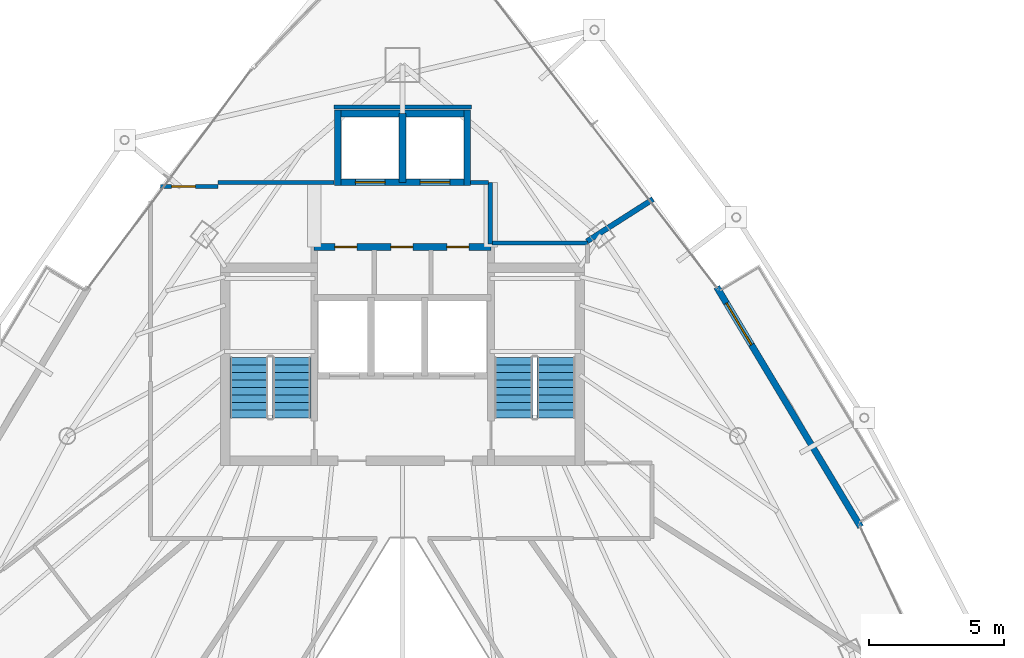
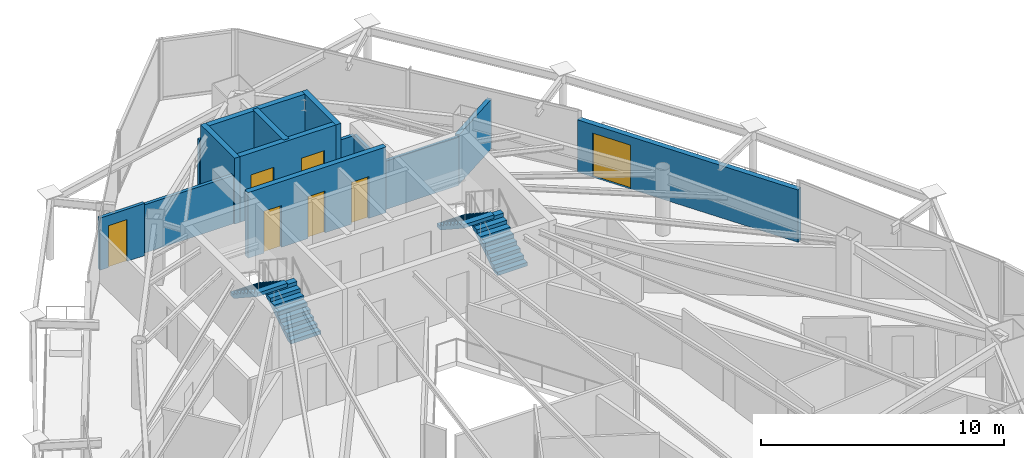
# One storey, part 30 of 33: 14 walls, 7 doors, 4 stair flights, 7 openings, 2 elements without a shape of their own.
"""IFC4 building model written with IfcOpenShell, lengths in metres."""

from ifc_helpers import new_model, si_unit, direction, frame, frame_2d, origin, place, context, subcontext, project, spatial, polyline, rectangle, outline, extrude, material, layer, layer_set, type_object, element, fill, aggregate, save


model = new_model("IFC4")

# Units and contexts
model_context = context("Model", 3, precision=1e-05, world=origin(), true_north=direction((0.0, 1.0)))
body_context = subcontext(model_context, "Body", "Model", "MODEL_VIEW")
ifc_project = project(units=[si_unit("LENGTHUNIT", "METRE"), si_unit("AREAUNIT", "SQUARE_METRE"), si_unit("VOLUMEUNIT", "CUBIC_METRE"), si_unit("PLANEANGLEUNIT", "RADIAN"), si_unit("MASSUNIT", "GRAM", prefix="KILO")], contexts=[model_context])

# Site, building, storey
site_placement = place(None, origin())
site = spatial("IfcSite", under=ifc_project, at=site_placement, CompositionType="ELEMENT")
building_placement = place(site_placement, origin())
building = spatial("IfcBuilding", under=site, at=building_placement, Name="Orvanel Arch Residences", CompositionType="ELEMENT")
storey_placement = place(building_placement, frame((0.0, 0.0, 212.89990234375)))
storey = spatial("IfcBuildingStorey", under=building, at=storey_placement, Name="L60", CompositionType="ELEMENT", Elevation=212.89990234375)

# Wall, opening, door
ifc_material_1 = material(Name="Precast concrete N50 (50 MPa)", Category="concrete")
ifc_layer_1 = layer(ifc_material_1, 0.239990234375)
ifc_layer_set_1 = layer_set([ifc_layer_1], Name="Precast concrete N50 (50 MPa)")
wall_type_1 = type_object("IfcWallType", Name="EW-BAL-240", PredefinedType="SOLIDWALL", material=ifc_layer_set_1)
wall_1_placement = place(storey_placement, frame((49.98193359375, 24.27490234375, 0.0), z_axis=(0.0, 0.0, 1.0), x_axis=(-0.514391899557, 0.857555230682, 0.0)))
wall_1 = element("IfcWall", 1, at=wall_1_placement, inside=storey, type_object=wall_type_1, Name="L60 Balcony Threshold Wall Face 3", PredefinedType="SOLIDWALL", context=body_context, shape_type="SweptSolid", body=[
    extrude(rectangle(XDim=10.371337890625, YDim=0.239990234375, at=frame_2d((5.185546875, 0.0))), origin(), (0.0, 0.0, 1.0), 2.6240234375),
])
opening_1_placement = place(wall_1_placement, frame((7.8740234375, 0.0, 0.0)))
opening_1 = element("IfcOpeningElement", 2, at=opening_1_placement, cuts=wall_1, Name="Opening DB-180", PredefinedType="OPENING", context=body_context, shape_type="SweptSolid", body=[
    extrude(rectangle(XDim=1.800048828125, YDim=2.199951171875, at=frame_2d((0.89990234375, 1.10009765625))), frame((0.0, 0.1298828125, 0.0), z_axis=(0.0, -1.0, 0.0), x_axis=(1.0, 0.0, 0.0)), (0.0, 0.0, 1.0), 0.260009765625),
])
ifc_material_2 = material(Name="Bronze-anodised aluminium AA6063-T6", Category="aluminium")
door_type_1 = type_object("IfcDoorType", Name="DR-BAL-1800", OperationType="NOTDEFINED", PredefinedType="DOOR", material=ifc_material_2)
door_1_placement = place(opening_1_placement, origin())
door_1 = element("IfcDoor", 3, at=door_1_placement, inside=storey, type_object=door_type_1, Name="DR-L60-BAL-F3 L60 Planted Balcony Access Door Face 3", OperationType="SINGLE_SWING_LEFT", OverallHeight=2.199951171875, OverallWidth=1.800048828125, PredefinedType="DOOR", context=body_context, shape_type="SweptSolid", body=[
    extrude(rectangle(XDim=1.800048828125, YDim=2.199951171875, at=frame_2d((0.89990234375, 1.10009765625))), frame((0.0, 0.02490234375, 0.0), z_axis=(0.0, -1.0, 0.0), x_axis=(1.0, 0.0, 0.0)), (0.0, 0.0, 1.0), 0.050048828125),
])
fill(opening_1, door_1)

# Wall, openings, doors
ifc_material_3 = material(Name="Concrete N50 (50 MPa)", Category="concrete")
ifc_layer_2 = layer(ifc_material_3, 0.25)
ifc_layer_set_2 = layer_set([ifc_layer_2], Name="Concrete N50 (50 MPa)")
wall_type_2 = type_object("IfcWallType", Name="SW-CORE-250", PredefinedType="SHEAR", material=ifc_layer_set_2)
wall_2_placement = place(storey_placement, frame((29.72509765625, 34.64990234375, 0.0), z_axis=(0.0, 0.0, 1.0), x_axis=(1.0, 0.0, 0.0)))
wall_2 = element("IfcWall", 4, at=wall_2_placement, inside=storey, type_object=wall_type_2, Name="L60 Core Service Band North Shear Wall", PredefinedType="SHEAR", context=body_context, shape_type="SweptSolid", body=[
    extrude(rectangle(XDim=6.5498046875, YDim=0.25, at=frame_2d((3.27490234375, 0.0))), origin(), (0.0, 0.0, 1.0), 3.300048828125),
])
opening_2_placement = place(wall_2_placement, frame((0.764892578125, 0.0, 0.0)))
opening_2 = element("IfcOpeningElement", 5, at=opening_2_placement, cuts=wall_2, Name="Opening DS-082", PredefinedType="OPENING", context=body_context, shape_type="SweptSolid", body=[
    extrude(rectangle(XDim=0.820068359375, YDim=2.10009765625, at=frame_2d((0.41015625, 1.050048828125))), frame((0.0, 0.135009765625, 0.0), z_axis=(0.0, -1.0, 0.0), x_axis=(1.0, 0.0, 0.0)), (0.0, 0.0, 1.0), 0.27001953125),
])
opening_3_placement = place(wall_2_placement, frame((2.840087890625, 0.0, 0.0)))
opening_3 = element("IfcOpeningElement", 6, at=opening_3_placement, cuts=wall_2, Name="Opening DS-082", PredefinedType="OPENING", context=body_context, shape_type="SweptSolid", body=[
    extrude(rectangle(XDim=0.820068359375, YDim=2.10009765625, at=frame_2d((0.41015625, 1.050048828125))), frame((0.0, 0.135009765625, 0.0), z_axis=(0.0, -1.0, 0.0), x_axis=(1.0, 0.0, 0.0)), (0.0, 0.0, 1.0), 0.27001953125),
])
opening_4_placement = place(wall_2_placement, frame((4.9150390625, 0.0, 0.0)))
opening_4 = element("IfcOpeningElement", 7, at=opening_4_placement, cuts=wall_2, Name="Opening DS-082", PredefinedType="OPENING", context=body_context, shape_type="SweptSolid", body=[
    extrude(rectangle(XDim=0.820068359375, YDim=2.10009765625, at=frame_2d((0.41015625, 1.050048828125))), frame((0.0, 0.135009765625, 0.0), z_axis=(0.0, -1.0, 0.0), x_axis=(1.0, 0.0, 0.0)), (0.0, 0.0, 1.0), 0.27001953125),
])
ifc_material_4 = material(Name="Galvanised steel fire-resisting door assembly", Category="steel")
door_type_2 = type_object("IfcDoorType", Name="DR-SVC-820", OperationType="NOTDEFINED", PredefinedType="DOOR", material=ifc_material_4)
door_2_placement = place(opening_2_placement, origin())
door_2 = element("IfcDoor", 8, at=door_2_placement, inside=storey, type_object=door_type_2, Name="DR-L60-CSVC-1 L60 Housekeeping Store Door", OperationType="SINGLE_SWING_LEFT", OverallHeight=2.10009765625, OverallWidth=0.820068359375, PredefinedType="DOOR", context=body_context, shape_type="SweptSolid", body=[
    extrude(rectangle(XDim=0.820068359375, YDim=2.10009765625, at=frame_2d((0.41015625, 1.050048828125))), frame((0.0, 0.02490234375, 0.0), z_axis=(0.0, -1.0, 0.0), x_axis=(1.0, 0.0, 0.0)), (0.0, 0.0, 1.0), 0.050048828125),
])
fill(opening_2, door_2)
door_3_placement = place(opening_3_placement, origin())
door_3 = element("IfcDoor", 9, at=door_3_placement, inside=storey, type_object=door_type_2, Name="DR-L60-CSVC-2 L60 Cleaner's Store Door", OperationType="SINGLE_SWING_LEFT", OverallHeight=2.10009765625, OverallWidth=0.820068359375, PredefinedType="DOOR", context=body_context, shape_type="SweptSolid", body=[
    extrude(rectangle(XDim=0.820068359375, YDim=2.10009765625, at=frame_2d((0.41015625, 1.050048828125))), frame((0.0, 0.02490234375, 0.0), z_axis=(0.0, -1.0, 0.0), x_axis=(1.0, 0.0, 0.0)), (0.0, 0.0, 1.0), 0.050048828125),
])
fill(opening_3, door_3)
door_4_placement = place(opening_4_placement, origin())
door_4 = element("IfcDoor", 10, at=door_4_placement, inside=storey, type_object=door_type_2, Name="DR-L60-CSVC-3 L60 Comms Riser Store Door", OperationType="SINGLE_SWING_LEFT", OverallHeight=2.10009765625, OverallWidth=0.820068359375, PredefinedType="DOOR", context=body_context, shape_type="SweptSolid", body=[
    extrude(rectangle(XDim=0.820068359375, YDim=2.10009765625, at=frame_2d((0.41015625, 1.050048828125))), frame((0.0, 0.02490234375, 0.0), z_axis=(0.0, -1.0, 0.0), x_axis=(1.0, 0.0, 0.0)), (0.0, 0.0, 1.0), 0.050048828125),
])
fill(opening_4, door_4)

wall_3_placement = place(storey_placement, frame((35.52490234375, 37.050048828125, 0.0), z_axis=(0.0, 0.0, 1.0), x_axis=(-1.0, 0.0, 0.0)))
wall_3 = element("IfcWall", 11, at=wall_3_placement, inside=storey, type_object=wall_type_2, Name="L60 Passenger Lift Bank Front Shear Wall", PredefinedType="SHEAR", context=body_context, shape_type="SweptSolid", body=[
    extrude(rectangle(XDim=5.0498046875, YDim=0.25, at=frame_2d((2.52490234375, 0.0))), origin(), (0.0, 0.0, 1.0), 3.300048828125),
])
opening_5_placement = place(wall_3_placement, frame((3.175048828125, 0.0, 0.0)))
opening_5 = element("IfcOpeningElement", 12, at=opening_5_placement, cuts=wall_3, Name="Opening LD-110", PredefinedType="OPENING", context=body_context, shape_type="SweptSolid", body=[
    extrude(rectangle(XDim=1.10009765625, YDim=2.199951171875, at=frame_2d((0.550048828125, 1.10009765625))), frame((0.0, 0.135009765625, 0.0), z_axis=(0.0, -1.0, 0.0), x_axis=(1.0, 0.0, 0.0)), (0.0, 0.0, 1.0), 0.27001953125),
])
opening_6_placement = place(wall_3_placement, frame((0.77490234375, 0.0, 0.0)))
opening_6 = element("IfcOpeningElement", 13, at=opening_6_placement, cuts=wall_3, Name="Opening LD-110", PredefinedType="OPENING", context=body_context, shape_type="SweptSolid", body=[
    extrude(rectangle(XDim=1.10009765625, YDim=2.199951171875, at=frame_2d((0.550048828125, 1.10009765625))), frame((0.0, 0.135009765625, 0.0), z_axis=(0.0, -1.0, 0.0), x_axis=(1.0, 0.0, 0.0)), (0.0, 0.0, 1.0), 0.27001953125),
])
door_type_3 = type_object("IfcDoorType", Name="DR-LFT-1100", OperationType="NOTDEFINED", PredefinedType="DOOR", material=ifc_material_4)
door_5_placement = place(opening_5_placement, origin())
door_5 = element("IfcDoor", 14, at=door_5_placement, inside=storey, type_object=door_type_3, Name="LD-P5-L60 L60 Passenger Lift P5 Sliding Landing Door", OperationType="DOUBLE_DOOR_SLIDING", OverallHeight=2.199951171875, OverallWidth=1.10009765625, PredefinedType="DOOR", context=body_context, shape_type="SweptSolid", body=[
    extrude(rectangle(XDim=1.10009765625, YDim=2.199951171875, at=frame_2d((0.550048828125, 1.10009765625))), frame((0.0, 0.02490234375, 0.0), z_axis=(0.0, -1.0, 0.0), x_axis=(1.0, 0.0, 0.0)), (0.0, 0.0, 1.0), 0.050048828125),
])
fill(opening_5, door_5)
door_6_placement = place(opening_6_placement, origin())
door_6 = element("IfcDoor", 15, at=door_6_placement, inside=storey, type_object=door_type_3, Name="LD-P6-L60 L60 Passenger Lift P6 Sliding Landing Door", OperationType="DOUBLE_DOOR_SLIDING", OverallHeight=2.199951171875, OverallWidth=1.10009765625, PredefinedType="DOOR", context=body_context, shape_type="SweptSolid", body=[
    extrude(rectangle(XDim=1.10009765625, YDim=2.199951171875, at=frame_2d((0.550048828125, 1.10009765625))), frame((0.0, 0.02490234375, 0.0), z_axis=(0.0, -1.0, 0.0), x_axis=(1.0, 0.0, 0.0)), (0.0, 0.0, 1.0), 0.050048828125),
])
fill(opening_6, door_6)

# Walls
wall_4_placement = place(storey_placement, frame((30.47509765625, 39.60009765625, 0.0), z_axis=(0.0, 0.0, 1.0), x_axis=(1.0, 0.0, 0.0)))
element("IfcWall", 16, at=wall_4_placement, inside=storey, type_object=wall_type_2, Name="L60 Passenger Lift Bank North Shear Wall", PredefinedType="SHEAR", context=body_context, shape_type="SweptSolid", body=[
    extrude(rectangle(XDim=5.0498046875, YDim=0.25, at=frame_2d((2.52490234375, 0.0))), origin(), (0.0, 0.0, 1.0), 3.300048828125),
])
for number, where, z_axis, x_axis, name in (
    (17, (30.60009765625, 36.925048828125, 0.0), (0.0, 0.0, 1.0), (0.0, 1.0, 0.0), "L60 Passenger Lift Bank West Shear Wall"),
    (18, (35.39990234375, 36.925048828125, 0.0), (0.0, 0.0, 1.0), (0.0, 1.0, 0.0), "L60 Passenger Lift Bank East Shear Wall"),
):
    element("IfcWall", number, at=place(storey_placement, frame(where, z_axis=z_axis, x_axis=x_axis)), inside=storey, type_object=wall_type_2, Name=name, PredefinedType="SHEAR", context=body_context, shape_type="SweptSolid", body=[
        extrude(rectangle(XDim=2.800048828125, YDim=0.25, at=frame_2d((1.39990234375, 0.0))), origin(), (0.0, 0.0, 1.0), 3.300048828125),
    ])
wall_5_placement = place(storey_placement, frame((33.0, 37.050048828125, 0.0), z_axis=(0.0, 0.0, 1.0), x_axis=(0.0, 1.0, 0.0)))
element("IfcWall", 19, at=wall_5_placement, inside=storey, type_object=wall_type_2, Name="L60 Passenger Lift Inter-Shaft Wall P56", PredefinedType="SHEAR", context=body_context, shape_type="SweptSolid", body=[
    extrude(rectangle(XDim=2.550048828125, YDim=0.25, at=frame_2d((1.27490234375, 0.0))), origin(), (0.0, 0.0, 1.0), 3.300048828125),
])
ifc_material_5 = material(Name="Fire-rated plasterboard lined steel stud partition", Category="steel")
ifc_layer_3 = layer(ifc_material_5, 0.14990234375)
ifc_layer_set_3 = layer_set([ifc_layer_3], Name="Fire-rated plasterboard lined steel stud partition")
wall_type_3 = type_object("IfcWallType", Name="W-COR-150", PredefinedType="PARTITIONING", material=ifc_layer_set_3)
wall_6_placement = place(storey_placement, frame((36.25, 34.760009765625, 0.0), z_axis=(0.0, 0.0, 1.0), x_axis=(0.0, 1.0, 0.0)))
element("IfcWall", 20, at=wall_6_placement, inside=storey, type_object=wall_type_3, Name="L60 Passenger Lift Lobby East Closure Wall", PredefinedType="PARTITIONING", context=body_context, shape_type="SweptSolid", body=[
    extrude(rectangle(XDim=2.2900390625, YDim=0.14990234375, at=frame_2d((1.14501953125, 0.0))), origin(), (0.0, 0.0, 1.0), 2.425048828125),
])
wall_7_placement = place(storey_placement, frame((35.52490234375, 37.050048828125, 0.0), z_axis=(0.0, 0.0, 1.0), x_axis=(1.0, 0.0, 0.0)))
element("IfcWall", 21, at=wall_7_placement, inside=storey, type_object=wall_type_3, Name="L60 Passenger Lift Lobby North-East Wall", PredefinedType="PARTITIONING", context=body_context, shape_type="SweptSolid", body=[
    extrude(rectangle(XDim=0.6650390625, YDim=0.14990234375, at=frame_2d((0.33251953125, 0.0))), origin(), (0.0, 0.0, 1.0), 2.425048828125),
])

# Wall, opening, door
wall_8_placement = place(storey_placement, frame((24.028076171875, 36.89990234375, 0.0), z_axis=(0.0, 0.0, 1.0), x_axis=(1.0, 0.0, 0.0)))
wall_8 = element("IfcWall", 22, at=wall_8_placement, inside=storey, type_object=wall_type_3, Name="L60 Corridor Fire-Rated Partition", PredefinedType="PARTITIONING", context=body_context, shape_type="SweptSolid", body=[
    extrude(rectangle(XDim=2.121826171875, YDim=0.14990234375, at=frame_2d((1.06103515625, 0.0))), origin(), (0.0, 0.0, 1.0), 2.619140625),
])
opening_7_placement = place(wall_8_placement, frame((0.406005859375, 0.0, 0.0)))
opening_7 = element("IfcOpeningElement", 23, at=opening_7_placement, cuts=wall_8, Name="Opening DI-088", PredefinedType="OPENING", context=body_context, shape_type="SweptSolid", body=[
    extrude(rectangle(XDim=0.8798828125, YDim=2.10009765625, at=frame_2d((0.43994140625, 1.050048828125))), frame((0.0, 0.0849609375, 0.0), z_axis=(0.0, -1.0, 0.0), x_axis=(1.0, 0.0, 0.0)), (0.0, 0.0, 1.0), 0.169921875),
])
ifc_material_6 = material(Name="Solid-core European oak veneer fire door leaf", Category="wood")
door_type_4 = type_object("IfcDoorType", Name="DR-INT-880", OperationType="NOTDEFINED", PredefinedType="DOOR", material=ifc_material_6)
door_7_placement = place(opening_7_placement, origin())
door_7 = element("IfcDoor", 24, at=door_7_placement, inside=storey, type_object=door_type_4, Name="DR-L60-SHRD-FB7 L60 Co-Working Study Office G Door", OperationType="SINGLE_SWING_LEFT", OverallHeight=2.10009765625, OverallWidth=0.8798828125, PredefinedType="DOOR", context=body_context, shape_type="SweptSolid", body=[
    extrude(rectangle(XDim=0.8798828125, YDim=2.10009765625, at=frame_2d((0.43994140625, 1.050048828125))), frame((0.0, 0.02490234375, 0.0), z_axis=(0.0, -1.0, 0.0), x_axis=(1.0, 0.0, 0.0)), (0.0, 0.0, 1.0), 0.050048828125),
])
fill(opening_7, door_7)

# Walls
wall_9_placement = place(storey_placement, frame((26.14990234375, 37.050048828125, 0.0), z_axis=(0.0, 0.0, 1.0), x_axis=(1.0, 0.0, 0.0)))
element("IfcWall", 25, at=wall_9_placement, inside=storey, type_object=wall_type_3, Name="L60 Core Perimeter Partition", PredefinedType="PARTITIONING", context=body_context, shape_type="SweptSolid", body=[
    extrude(rectangle(XDim=4.300048828125, YDim=0.14990234375, at=frame_2d((2.14990234375, 0.0))), origin(), (0.0, 0.0, 1.0), 2.425048828125),
])
wall_10_placement = place(storey_placement, frame((30.449951171875, 39.85009765625, 0.0), z_axis=(0.0, 0.0, 1.0), x_axis=(1.0, 0.0, 0.0)))
element("IfcWall", 26, at=wall_10_placement, inside=storey, type_object=wall_type_3, Name="L60 Core Perimeter Partition", PredefinedType="PARTITIONING", context=body_context, shape_type="SweptSolid", body=[
    extrude(rectangle(XDim=5.10009765625, YDim=0.14990234375, at=frame_2d((2.550048828125, 0.0))), origin(), (0.0, 0.0, 1.0), 2.4921875),
])
wall_11_placement = place(storey_placement, frame((36.31005859375, 34.800048828125, 0.0), z_axis=(0.0, 0.0, 1.0), x_axis=(1.0, 0.0, 0.0)))
element("IfcWall", 27, at=wall_11_placement, inside=storey, type_object=wall_type_3, Name="L60 Core Perimeter Partition", PredefinedType="PARTITIONING", context=body_context, shape_type="SweptSolid", body=[
    extrude(rectangle(XDim=3.5400390625, YDim=0.14990234375, at=frame_2d((1.77001953125, 0.0))), origin(), (0.0, 0.0, 1.0), 2.425048828125),
])
ifc_layer_4 = layer(ifc_material_5, 0.199951171875)
ifc_layer_set_4 = layer_set([ifc_layer_4], Name="Fire-rated plasterboard lined steel stud partition")
wall_type_4 = type_object("IfcWallType", Name="W-DEM-200", PredefinedType="PARTITIONING", material=ifc_layer_set_4)
wall_12_placement = place(storey_placement, frame((39.8330078125, 34.860107421875, 0.0), z_axis=(0.0, 0.0, 1.0), x_axis=(0.842993506682, 0.537923737803, 0.0)))
element("IfcWall", 28, at=wall_12_placement, inside=storey, type_object=wall_type_4, Name="L60 Inter-Tenancy Acoustic Demising Wall", PredefinedType="PARTITIONING", context=body_context, shape_type="SweptSolid", body=[
    extrude(rectangle(XDim=2.907470703125, YDim=0.199951171875, at=frame_2d((1.45361328125, 0.0))), origin(), (0.0, 0.0, 1.0), 2.4921875),
])

# Stair, stair flights
stair_type = type_object("IfcStairType", Name="STR-DOG-184", PredefinedType="USERDEFINED", material=ifc_material_1)
stair_1_placement = place(storey_placement, origin())
stair_1 = element("IfcStair", 29, at=stair_1_placement, inside=storey, type_object=stair_type, Name="L60 Fire-Isolated Core Exit Stair 1", ObjectType="TWO_RETURN_STAIR", PredefinedType="USERDEFINED")
stair_flight_type_1 = type_object("IfcStairFlightType", Name="SFL-C1-184", PredefinedType="STRAIGHT", material=ifc_material_1)
stair_flight_1_placement = place(storey_placement, frame((28.889892578125, 28.320068359375, 0.0), z_axis=(0.0, 0.0, 1.0), x_axis=(0.0, 1.0, 0.0)))
stair_flight_1 = element("IfcStairFlight", 30, at=stair_flight_1_placement, type_object=stair_flight_type_1, Name="ST-1 flight 1", NumberOfRisers=9, NumberOfTreads=8, PredefinedType="STRAIGHT", RiserHeight=0.183333333, TreadLength=0.28, context=body_context, shape_type="SweptSolid", body=[
    extrude(outline(polyline([(0.0, 0.0), (0.0, 0.183349609375), (0.280029296875, 0.183349609375), (0.280029296875, 0.36669921875), (0.56005859375, 0.36669921875), (0.56005859375, 0.550048828125), (0.840087890625, 0.550048828125), (0.840087890625, 0.7333984375), (1.1201171875, 0.7333984375), (1.1201171875, 0.916748046875), (1.39990234375, 0.916748046875), (1.39990234375, 1.10009765625), (1.679931640625, 1.10009765625), (1.679931640625, 1.283447265625), (1.9599609375, 1.283447265625), (1.9599609375, 1.466552734375), (2.239990234375, 1.466552734375), (2.239990234375, 1.64990234375), (2.239990234375, 1.28759765625), (0.273681640625, 0.0), (0.0, 0.0)])), frame((0.0, 0.7099609375, 0.0), z_axis=(0.0, -1.0, 0.0), x_axis=(1.0, 0.0, 0.0)), (0.0, 0.0, 1.0), 1.419921875),
])
stair_flight_2_placement = place(storey_placement, frame((27.31005859375, 30.56005859375, 1.650146484375), z_axis=(0.0, 0.0, 1.0), x_axis=(0.0, -1.0, 0.0)))
stair_flight_2 = element("IfcStairFlight", 31, at=stair_flight_2_placement, type_object=stair_flight_type_1, Name="ST-1 flight 2", NumberOfRisers=9, NumberOfTreads=8, PredefinedType="STRAIGHT", RiserHeight=0.183333333, TreadLength=0.28, context=body_context, shape_type="SweptSolid", body=[
    extrude(outline(polyline([(0.0, 0.0), (0.0, 0.183349609375), (0.280029296875, 0.183349609375), (0.280029296875, 0.36669921875), (0.56005859375, 0.36669921875), (0.56005859375, 0.550048828125), (0.840087890625, 0.550048828125), (0.840087890625, 0.7333984375), (1.1201171875, 0.7333984375), (1.1201171875, 0.916748046875), (1.39990234375, 0.916748046875), (1.39990234375, 1.10009765625), (1.679931640625, 1.10009765625), (1.679931640625, 1.283447265625), (1.9599609375, 1.283447265625), (1.9599609375, 1.466552734375), (2.239990234375, 1.466552734375), (2.239990234375, 1.64990234375), (2.239990234375, 1.28759765625), (0.273681640625, 0.0), (0.0, 0.0)])), frame((0.0, 0.7099609375, 0.0), z_axis=(0.0, -1.0, 0.0), x_axis=(1.0, 0.0, 0.0)), (0.0, 0.0, 1.0), 1.419921875),
])
aggregate(stair_1, [stair_flight_1, stair_flight_2])

stair_2_placement = place(storey_placement, origin())
stair_2 = element("IfcStair", 32, at=stair_2_placement, inside=storey, type_object=stair_type, Name="L60 Fire-Isolated Core Exit Stair 2", ObjectType="TWO_RETURN_STAIR", PredefinedType="USERDEFINED")
stair_flight_type_2 = type_object("IfcStairFlightType", Name="SFL-C2-184", PredefinedType="STRAIGHT", material=ifc_material_1)
stair_flight_3_placement = place(storey_placement, frame((38.68994140625, 28.320068359375, 0.0), z_axis=(0.0, 0.0, 1.0), x_axis=(0.0, 1.0, 0.0)))
stair_flight_3 = element("IfcStairFlight", 33, at=stair_flight_3_placement, type_object=stair_flight_type_2, Name="ST-2 flight 1", NumberOfRisers=9, NumberOfTreads=8, PredefinedType="STRAIGHT", RiserHeight=0.183333333, TreadLength=0.28, context=body_context, shape_type="SweptSolid", body=[
    extrude(outline(polyline([(0.0, 0.0), (0.0, 0.183349609375), (0.280029296875, 0.183349609375), (0.280029296875, 0.36669921875), (0.56005859375, 0.36669921875), (0.56005859375, 0.550048828125), (0.840087890625, 0.550048828125), (0.840087890625, 0.7333984375), (1.1201171875, 0.7333984375), (1.1201171875, 0.916748046875), (1.39990234375, 0.916748046875), (1.39990234375, 1.10009765625), (1.679931640625, 1.10009765625), (1.679931640625, 1.283447265625), (1.9599609375, 1.283447265625), (1.9599609375, 1.466552734375), (2.239990234375, 1.466552734375), (2.239990234375, 1.64990234375), (2.239990234375, 1.28759765625), (0.273681640625, 0.0), (0.0, 0.0)])), frame((0.0, 0.7099609375, 0.0), z_axis=(0.0, -1.0, 0.0), x_axis=(1.0, 0.0, 0.0)), (0.0, 0.0, 1.0), 1.419921875),
])
stair_flight_4_placement = place(storey_placement, frame((37.110107421875, 30.56005859375, 1.650146484375), z_axis=(0.0, 0.0, 1.0), x_axis=(0.0, -1.0, 0.0)))
stair_flight_4 = element("IfcStairFlight", 34, at=stair_flight_4_placement, type_object=stair_flight_type_2, Name="ST-2 flight 2", NumberOfRisers=9, NumberOfTreads=8, PredefinedType="STRAIGHT", RiserHeight=0.183333333, TreadLength=0.28, context=body_context, shape_type="SweptSolid", body=[
    extrude(outline(polyline([(0.0, 0.0), (0.0, 0.183349609375), (0.280029296875, 0.183349609375), (0.280029296875, 0.36669921875), (0.56005859375, 0.36669921875), (0.56005859375, 0.550048828125), (0.840087890625, 0.550048828125), (0.840087890625, 0.7333984375), (1.1201171875, 0.7333984375), (1.1201171875, 0.916748046875), (1.39990234375, 0.916748046875), (1.39990234375, 1.10009765625), (1.679931640625, 1.10009765625), (1.679931640625, 1.283447265625), (1.9599609375, 1.283447265625), (1.9599609375, 1.466552734375), (2.239990234375, 1.466552734375), (2.239990234375, 1.64990234375), (2.239990234375, 1.28759765625), (0.273681640625, 0.0), (0.0, 0.0)])), frame((0.0, 0.7099609375, 0.0), z_axis=(0.0, -1.0, 0.0), x_axis=(1.0, 0.0, 0.0)), (0.0, 0.0, 1.0), 1.419921875),
])
aggregate(stair_2, [stair_flight_3, stair_flight_4])

save(model, "model.ifc")
